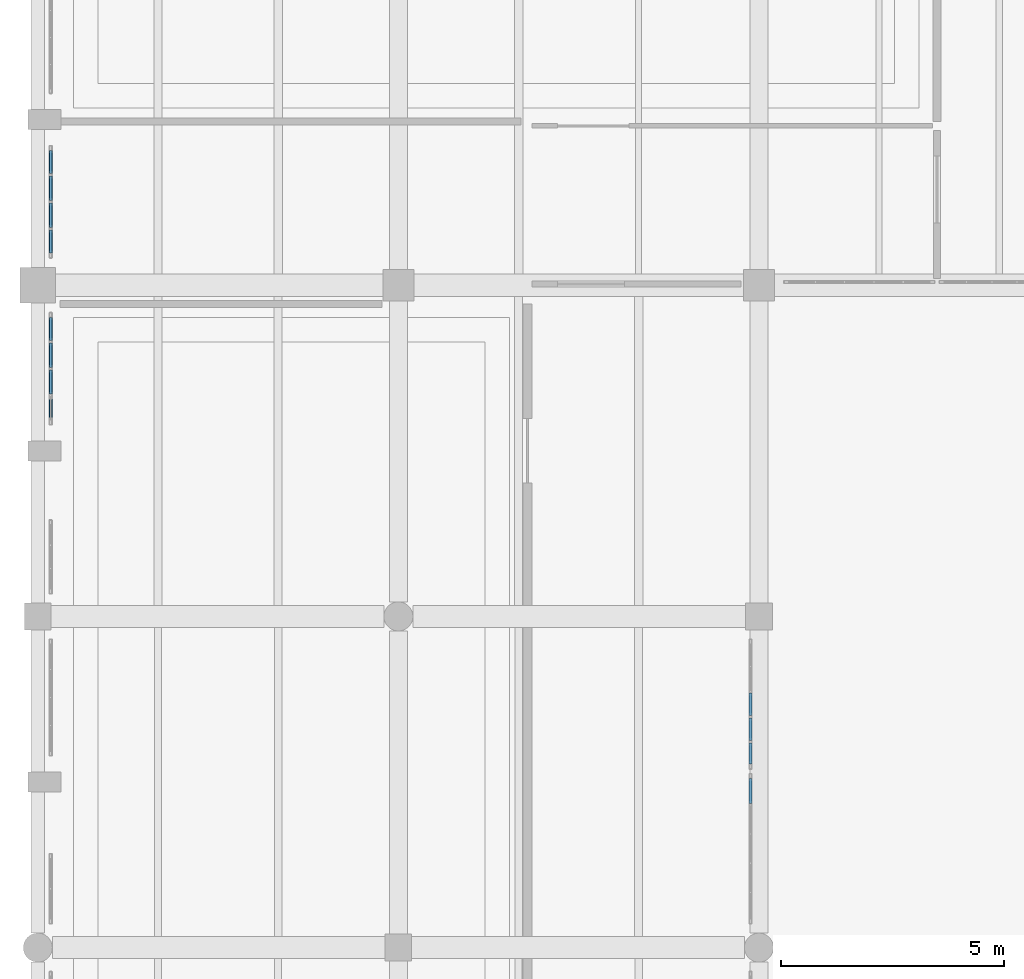
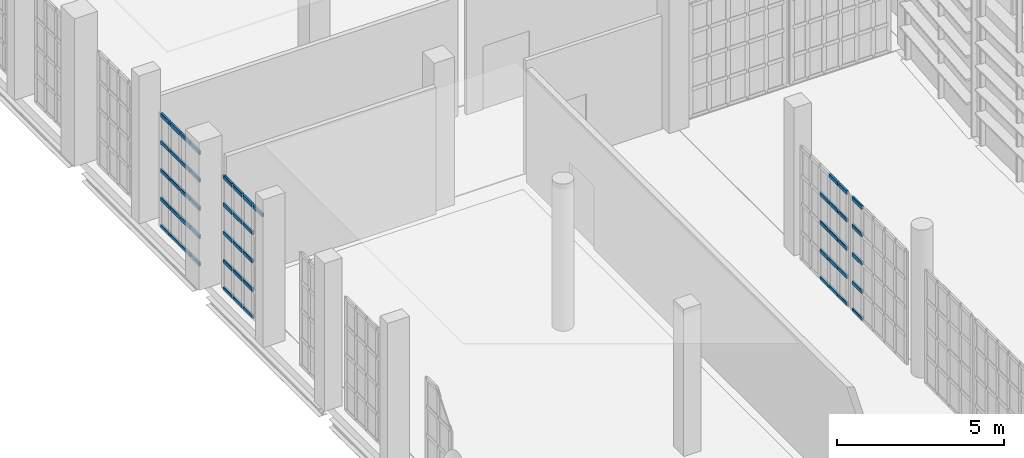
# One storey, part 298 of 372: 55 members, 4 elements without a shape of their own.
"""IFC4 building model written with IfcOpenShell, lengths in metres."""

from ifc_helpers import new_model, si_unit, direction, frame, origin, origin_2d, place, context, subcontext, project, spatial, hollow_rectangle, extrude, material, material_profile, profile_set, type_object, element, aggregate, save


model = new_model("IFC4")

# Units and contexts
model_context = context("Model", 3, precision=1e-05, world=origin(), true_north=direction((0.0, 1.0)))
body_context = subcontext(model_context, "Body", "Model", "MODEL_VIEW")
ifc_project = project(units=[si_unit("LENGTHUNIT", "METRE"), si_unit("AREAUNIT", "SQUARE_METRE"), si_unit("VOLUMEUNIT", "CUBIC_METRE"), si_unit("PLANEANGLEUNIT", "RADIAN"), si_unit("MASSUNIT", "GRAM", prefix="KILO")], contexts=[model_context])

# Site, building, storey
site_placement = place(None, origin())
site = spatial("IfcSite", under=ifc_project, at=site_placement, CompositionType="ELEMENT")
building_placement = place(site_placement, origin())
building = spatial("IfcBuilding", under=site, at=building_placement, Name="Kaelora Sail Theatre", CompositionType="ELEMENT")
storey_placement = place(building_placement, origin())
storey = spatial("IfcBuildingStorey", under=building, at=storey_placement, Name="L00", CompositionType="ELEMENT", Elevation=0.0)

# Curtain wall, members
ifc_material_1 = material(Name="Anodised aluminium and solar-control low-E IGU", Category="aluminium")
curtain_wall_type_1 = type_object("IfcCurtainWallType", Name="ARC-CW-CW-FOY1", PredefinedType="NOTDEFINED", material=ifc_material_1)
curtain_wall_1_placement = place(storey_placement, origin())
curtain_wall_1 = element("IfcCurtainWall", 1, at=curtain_wall_1_placement, inside=storey, type_object=curtain_wall_type_1, Name="Glazed Colonnade/Courtyard Curtain Wall COLW-W-L00-12", PredefinedType="NOTDEFINED")
ifc_material_2 = material(Name="Anodised aluminium 6063-T6", Category="aluminium")
ifc_material_profile = material_profile(ifc_material_2, hollow_rectangle(XDim=0.070068359375, YDim=0.139892578125, WallThickness=0.00390625, InnerFilletRadius=0.00390625, OuterFilletRadius=0.008056640625, at=origin_2d()), Name="ALU-TRAN 70x140x4")
ifc_profile_set = profile_set([ifc_material_profile], Name="Anodised aluminium 6063-T6")
member_type = type_object("IfcMemberType", Name="ARC-MEM-TR-140", PredefinedType="USERDEFINED", material=ifc_profile_set)
member_1_placement = place(storey_placement, frame((1.7900390625, 57.9951171875, 4.10205078125), z_axis=(0.0, 1.0, 0.0), x_axis=(-1.0, 0.0, 0.0)))
member_1 = element("IfcMember", 2, at=member_1_placement, type_object=member_type, Name="CW-FOY1 transom 1.5", ObjectType="TRANSOM", PredefinedType="USERDEFINED", context=body_context, shape_type="SweptSolid", body=[
    extrude(hollow_rectangle(XDim=0.070068359375, YDim=0.139892578125, WallThickness=0.00390625, InnerFilletRadius=0.00390625, OuterFilletRadius=0.008056640625, at=origin_2d()), origin(), (0.0, 0.0, 1.0), 0.51611328125),
])
member_2_placement = place(storey_placement, frame((1.7900390625, 58.5712890625, 0.034912109375), z_axis=(0.0, 1.0, 0.0), x_axis=(-1.0, 0.0, 0.0)))
member_2 = element("IfcMember", 3, at=member_2_placement, type_object=member_type, Name="CW-FOY1 transom 2.1", ObjectType="TRANSOM", PredefinedType="USERDEFINED", context=body_context, shape_type="SweptSolid", body=[
    extrude(hollow_rectangle(XDim=0.070068359375, YDim=0.139892578125, WallThickness=0.00390625, InnerFilletRadius=0.00390625, OuterFilletRadius=0.008056640625, at=origin_2d()), origin(), (0.0, 0.0, 1.0), 0.546142578125),
])
member_3_placement = place(storey_placement, frame((1.7900390625, 58.5712890625, 1.0341796875), z_axis=(0.0, 1.0, 0.0), x_axis=(-1.0, 0.0, 0.0)))
member_3 = element("IfcMember", 4, at=member_3_placement, type_object=member_type, Name="CW-FOY1 transom 2.2", ObjectType="TRANSOM", PredefinedType="USERDEFINED", context=body_context, shape_type="SweptSolid", body=[
    extrude(hollow_rectangle(XDim=0.070068359375, YDim=0.139892578125, WallThickness=0.00390625, InnerFilletRadius=0.00390625, OuterFilletRadius=0.008056640625, at=origin_2d()), origin(), (0.0, 0.0, 1.0), 0.546142578125),
])
member_4_placement = place(storey_placement, frame((1.7900390625, 58.5712890625, 2.068603515625), z_axis=(0.0, 1.0, 0.0), x_axis=(-1.0, 0.0, 0.0)))
member_4 = element("IfcMember", 5, at=member_4_placement, type_object=member_type, Name="CW-FOY1 transom 2.3", ObjectType="TRANSOM", PredefinedType="USERDEFINED", context=body_context, shape_type="SweptSolid", body=[
    extrude(hollow_rectangle(XDim=0.070068359375, YDim=0.139892578125, WallThickness=0.00390625, InnerFilletRadius=0.00390625, OuterFilletRadius=0.008056640625, at=origin_2d()), origin(), (0.0, 0.0, 1.0), 0.546142578125),
])
member_5_placement = place(storey_placement, frame((1.7900390625, 58.5712890625, 3.102783203125), z_axis=(0.0, 1.0, 0.0), x_axis=(-1.0, 0.0, 0.0)))
member_5 = element("IfcMember", 6, at=member_5_placement, type_object=member_type, Name="CW-FOY1 transom 2.4", ObjectType="TRANSOM", PredefinedType="USERDEFINED", context=body_context, shape_type="SweptSolid", body=[
    extrude(hollow_rectangle(XDim=0.070068359375, YDim=0.139892578125, WallThickness=0.00390625, InnerFilletRadius=0.00390625, OuterFilletRadius=0.008056640625, at=origin_2d()), origin(), (0.0, 0.0, 1.0), 0.546142578125),
])
member_6_placement = place(storey_placement, frame((1.7900390625, 58.5712890625, 4.10205078125), z_axis=(0.0, 1.0, 0.0), x_axis=(-1.0, 0.0, 0.0)))
member_6 = element("IfcMember", 7, at=member_6_placement, type_object=member_type, Name="CW-FOY1 transom 2.5", ObjectType="TRANSOM", PredefinedType="USERDEFINED", context=body_context, shape_type="SweptSolid", body=[
    extrude(hollow_rectangle(XDim=0.070068359375, YDim=0.139892578125, WallThickness=0.00390625, InnerFilletRadius=0.00390625, OuterFilletRadius=0.008056640625, at=origin_2d()), origin(), (0.0, 0.0, 1.0), 0.546142578125),
])
member_7_placement = place(storey_placement, frame((1.7900390625, 59.177490234375, 0.034912109375), z_axis=(0.0, 1.0, 0.0), x_axis=(-1.0, 0.0, 0.0)))
member_7 = element("IfcMember", 8, at=member_7_placement, type_object=member_type, Name="CW-FOY1 transom 3.1", ObjectType="TRANSOM", PredefinedType="USERDEFINED", context=body_context, shape_type="SweptSolid", body=[
    extrude(hollow_rectangle(XDim=0.070068359375, YDim=0.139892578125, WallThickness=0.00390625, InnerFilletRadius=0.00390625, OuterFilletRadius=0.008056640625, at=origin_2d()), origin(), (0.0, 0.0, 1.0), 0.546142578125),
])
member_8_placement = place(storey_placement, frame((1.7900390625, 59.177490234375, 1.0341796875), z_axis=(0.0, 1.0, 0.0), x_axis=(-1.0, 0.0, 0.0)))
member_8 = element("IfcMember", 9, at=member_8_placement, type_object=member_type, Name="CW-FOY1 transom 3.2", ObjectType="TRANSOM", PredefinedType="USERDEFINED", context=body_context, shape_type="SweptSolid", body=[
    extrude(hollow_rectangle(XDim=0.070068359375, YDim=0.139892578125, WallThickness=0.00390625, InnerFilletRadius=0.00390625, OuterFilletRadius=0.008056640625, at=origin_2d()), origin(), (0.0, 0.0, 1.0), 0.546142578125),
])
member_9_placement = place(storey_placement, frame((1.7900390625, 59.177490234375, 2.068603515625), z_axis=(0.0, 1.0, 0.0), x_axis=(-1.0, 0.0, 0.0)))
member_9 = element("IfcMember", 10, at=member_9_placement, type_object=member_type, Name="CW-FOY1 transom 3.3", ObjectType="TRANSOM", PredefinedType="USERDEFINED", context=body_context, shape_type="SweptSolid", body=[
    extrude(hollow_rectangle(XDim=0.070068359375, YDim=0.139892578125, WallThickness=0.00390625, InnerFilletRadius=0.00390625, OuterFilletRadius=0.008056640625, at=origin_2d()), origin(), (0.0, 0.0, 1.0), 0.546142578125),
])
member_10_placement = place(storey_placement, frame((1.7900390625, 59.177490234375, 3.102783203125), z_axis=(0.0, 1.0, 0.0), x_axis=(-1.0, 0.0, 0.0)))
member_10 = element("IfcMember", 11, at=member_10_placement, type_object=member_type, Name="CW-FOY1 transom 3.4", ObjectType="TRANSOM", PredefinedType="USERDEFINED", context=body_context, shape_type="SweptSolid", body=[
    extrude(hollow_rectangle(XDim=0.070068359375, YDim=0.139892578125, WallThickness=0.00390625, InnerFilletRadius=0.00390625, OuterFilletRadius=0.008056640625, at=origin_2d()), origin(), (0.0, 0.0, 1.0), 0.546142578125),
])
member_11_placement = place(storey_placement, frame((1.7900390625, 59.177490234375, 4.10205078125), z_axis=(0.0, 1.0, 0.0), x_axis=(-1.0, 0.0, 0.0)))
member_11 = element("IfcMember", 12, at=member_11_placement, type_object=member_type, Name="CW-FOY1 transom 3.5", ObjectType="TRANSOM", PredefinedType="USERDEFINED", context=body_context, shape_type="SweptSolid", body=[
    extrude(hollow_rectangle(XDim=0.070068359375, YDim=0.139892578125, WallThickness=0.00390625, InnerFilletRadius=0.00390625, OuterFilletRadius=0.008056640625, at=origin_2d()), origin(), (0.0, 0.0, 1.0), 0.546142578125),
])
member_12_placement = place(storey_placement, frame((1.7900390625, 59.78369140625, 0.034912109375), z_axis=(0.0, 1.0, 0.0), x_axis=(-1.0, 0.0, 0.0)))
member_12 = element("IfcMember", 13, at=member_12_placement, type_object=member_type, Name="CW-FOY1 transom 4.1", ObjectType="TRANSOM", PredefinedType="USERDEFINED", context=body_context, shape_type="SweptSolid", body=[
    extrude(hollow_rectangle(XDim=0.070068359375, YDim=0.139892578125, WallThickness=0.00390625, InnerFilletRadius=0.00390625, OuterFilletRadius=0.008056640625, at=origin_2d()), origin(), (0.0, 0.0, 1.0), 0.516357421875),
])
member_13_placement = place(storey_placement, frame((1.7900390625, 59.78369140625, 1.0341796875), z_axis=(0.0, 1.0, 0.0), x_axis=(-1.0, 0.0, 0.0)))
member_13 = element("IfcMember", 14, at=member_13_placement, type_object=member_type, Name="CW-FOY1 transom 4.2", ObjectType="TRANSOM", PredefinedType="USERDEFINED", context=body_context, shape_type="SweptSolid", body=[
    extrude(hollow_rectangle(XDim=0.070068359375, YDim=0.139892578125, WallThickness=0.00390625, InnerFilletRadius=0.00390625, OuterFilletRadius=0.008056640625, at=origin_2d()), origin(), (0.0, 0.0, 1.0), 0.516357421875),
])
member_14_placement = place(storey_placement, frame((1.7900390625, 59.78369140625, 2.068603515625), z_axis=(0.0, 1.0, 0.0), x_axis=(-1.0, 0.0, 0.0)))
member_14 = element("IfcMember", 15, at=member_14_placement, type_object=member_type, Name="CW-FOY1 transom 4.3", ObjectType="TRANSOM", PredefinedType="USERDEFINED", context=body_context, shape_type="SweptSolid", body=[
    extrude(hollow_rectangle(XDim=0.070068359375, YDim=0.139892578125, WallThickness=0.00390625, InnerFilletRadius=0.00390625, OuterFilletRadius=0.008056640625, at=origin_2d()), origin(), (0.0, 0.0, 1.0), 0.516357421875),
])
member_15_placement = place(storey_placement, frame((1.7900390625, 59.78369140625, 3.102783203125), z_axis=(0.0, 1.0, 0.0), x_axis=(-1.0, 0.0, 0.0)))
member_15 = element("IfcMember", 16, at=member_15_placement, type_object=member_type, Name="CW-FOY1 transom 4.4", ObjectType="TRANSOM", PredefinedType="USERDEFINED", context=body_context, shape_type="SweptSolid", body=[
    extrude(hollow_rectangle(XDim=0.070068359375, YDim=0.139892578125, WallThickness=0.00390625, InnerFilletRadius=0.00390625, OuterFilletRadius=0.008056640625, at=origin_2d()), origin(), (0.0, 0.0, 1.0), 0.516357421875),
])
member_16_placement = place(storey_placement, frame((1.7900390625, 59.78369140625, 4.10205078125), z_axis=(0.0, 1.0, 0.0), x_axis=(-1.0, 0.0, 0.0)))
member_16 = element("IfcMember", 17, at=member_16_placement, type_object=member_type, Name="CW-FOY1 transom 4.5", ObjectType="TRANSOM", PredefinedType="USERDEFINED", context=body_context, shape_type="SweptSolid", body=[
    extrude(hollow_rectangle(XDim=0.070068359375, YDim=0.139892578125, WallThickness=0.00390625, InnerFilletRadius=0.00390625, OuterFilletRadius=0.008056640625, at=origin_2d()), origin(), (0.0, 0.0, 1.0), 0.516357421875),
])
aggregate(curtain_wall_1, [member_1, member_2, member_3, member_4, member_5, member_6, member_7, member_8, member_9, member_10, member_11, member_12, member_13, member_14, member_15, member_16])

ifc_material_3 = material(Name="Anodised aluminium and solar-control low-E IGU", Category="aluminium")
curtain_wall_type_2 = type_object("IfcCurtainWallType", Name="ARC-CW-CW-FOY2", PredefinedType="NOTDEFINED", material=ifc_material_3)
curtain_wall_2_placement = place(storey_placement, origin())
curtain_wall_2 = element("IfcCurtainWall", 18, at=curtain_wall_2_placement, inside=storey, type_object=curtain_wall_type_2, Name="Glazed Colonnade/Courtyard Curtain Wall COLW-E-L00-05", PredefinedType="NOTDEFINED")
member_17_placement = place(storey_placement, frame((17.510009765625, 49.375, 0.034912109375), z_axis=(0.0, 1.0, 0.0), x_axis=(-1.0, 0.0, 0.0)))
member_17 = element("IfcMember", 19, at=member_17_placement, type_object=member_type, Name="CW-FOY2 transom 5.1", ObjectType="TRANSOM", PredefinedType="USERDEFINED", context=body_context, shape_type="SweptSolid", body=[
    extrude(hollow_rectangle(XDim=0.070068359375, YDim=0.139892578125, WallThickness=0.00390625, InnerFilletRadius=0.00390625, OuterFilletRadius=0.008056640625, at=origin_2d()), origin(), (0.0, 0.0, 1.0), 0.56494140625),
])
member_18_placement = place(storey_placement, frame((17.510009765625, 49.375, 1.0341796875), z_axis=(0.0, 1.0, 0.0), x_axis=(-1.0, 0.0, 0.0)))
member_18 = element("IfcMember", 20, at=member_18_placement, type_object=member_type, Name="CW-FOY2 transom 5.2", ObjectType="TRANSOM", PredefinedType="USERDEFINED", context=body_context, shape_type="SweptSolid", body=[
    extrude(hollow_rectangle(XDim=0.070068359375, YDim=0.139892578125, WallThickness=0.00390625, InnerFilletRadius=0.00390625, OuterFilletRadius=0.008056640625, at=origin_2d()), origin(), (0.0, 0.0, 1.0), 0.56494140625),
])
member_19_placement = place(storey_placement, frame((17.510009765625, 49.375, 2.068603515625), z_axis=(0.0, 1.0, 0.0), x_axis=(-1.0, 0.0, 0.0)))
member_19 = element("IfcMember", 21, at=member_19_placement, type_object=member_type, Name="CW-FOY2 transom 5.3", ObjectType="TRANSOM", PredefinedType="USERDEFINED", context=body_context, shape_type="SweptSolid", body=[
    extrude(hollow_rectangle(XDim=0.070068359375, YDim=0.139892578125, WallThickness=0.00390625, InnerFilletRadius=0.00390625, OuterFilletRadius=0.008056640625, at=origin_2d()), origin(), (0.0, 0.0, 1.0), 0.56494140625),
])
member_20_placement = place(storey_placement, frame((17.510009765625, 49.375, 3.102783203125), z_axis=(0.0, 1.0, 0.0), x_axis=(-1.0, 0.0, 0.0)))
member_20 = element("IfcMember", 22, at=member_20_placement, type_object=member_type, Name="CW-FOY2 transom 5.4", ObjectType="TRANSOM", PredefinedType="USERDEFINED", context=body_context, shape_type="SweptSolid", body=[
    extrude(hollow_rectangle(XDim=0.070068359375, YDim=0.139892578125, WallThickness=0.00390625, InnerFilletRadius=0.00390625, OuterFilletRadius=0.008056640625, at=origin_2d()), origin(), (0.0, 0.0, 1.0), 0.56494140625),
])
member_21_placement = place(storey_placement, frame((17.510009765625, 49.375, 4.10205078125), z_axis=(0.0, 1.0, 0.0), x_axis=(-1.0, 0.0, 0.0)))
member_21 = element("IfcMember", 23, at=member_21_placement, type_object=member_type, Name="CW-FOY2 transom 5.5", ObjectType="TRANSOM", PredefinedType="USERDEFINED", context=body_context, shape_type="SweptSolid", body=[
    extrude(hollow_rectangle(XDim=0.070068359375, YDim=0.139892578125, WallThickness=0.00390625, InnerFilletRadius=0.00390625, OuterFilletRadius=0.008056640625, at=origin_2d()), origin(), (0.0, 0.0, 1.0), 0.56494140625),
])
aggregate(curtain_wall_2, [member_17, member_18, member_19, member_20, member_21])

curtain_wall_3_placement = place(storey_placement, origin())
curtain_wall_3 = element("IfcCurtainWall", 24, at=curtain_wall_3_placement, inside=storey, type_object=curtain_wall_type_2, Name="Glazed Colonnade/Courtyard Curtain Wall COLW-E-L00-06", PredefinedType="NOTDEFINED")
member_22_placement = place(storey_placement, frame((17.510009765625, 50.260009765625, 0.034912109375), z_axis=(0.0, 1.0, 0.0), x_axis=(-1.0, 0.0, 0.0)))
member_22 = element("IfcMember", 25, at=member_22_placement, type_object=member_type, Name="CW-FOY2 transom 1.1", ObjectType="TRANSOM", PredefinedType="USERDEFINED", context=body_context, shape_type="SweptSolid", body=[
    extrude(hollow_rectangle(XDim=0.070068359375, YDim=0.139892578125, WallThickness=0.00390625, InnerFilletRadius=0.00390625, OuterFilletRadius=0.008056640625, at=origin_2d()), origin(), (0.0, 0.0, 1.0), 0.473876953125),
])
member_23_placement = place(storey_placement, frame((17.510009765625, 50.260009765625, 1.0341796875), z_axis=(0.0, 1.0, 0.0), x_axis=(-1.0, 0.0, 0.0)))
member_23 = element("IfcMember", 26, at=member_23_placement, type_object=member_type, Name="CW-FOY2 transom 1.2", ObjectType="TRANSOM", PredefinedType="USERDEFINED", context=body_context, shape_type="SweptSolid", body=[
    extrude(hollow_rectangle(XDim=0.070068359375, YDim=0.139892578125, WallThickness=0.00390625, InnerFilletRadius=0.00390625, OuterFilletRadius=0.008056640625, at=origin_2d()), origin(), (0.0, 0.0, 1.0), 0.473876953125),
])
member_24_placement = place(storey_placement, frame((17.510009765625, 50.260009765625, 2.068603515625), z_axis=(0.0, 1.0, 0.0), x_axis=(-1.0, 0.0, 0.0)))
member_24 = element("IfcMember", 27, at=member_24_placement, type_object=member_type, Name="CW-FOY2 transom 1.3", ObjectType="TRANSOM", PredefinedType="USERDEFINED", context=body_context, shape_type="SweptSolid", body=[
    extrude(hollow_rectangle(XDim=0.070068359375, YDim=0.139892578125, WallThickness=0.00390625, InnerFilletRadius=0.00390625, OuterFilletRadius=0.008056640625, at=origin_2d()), origin(), (0.0, 0.0, 1.0), 0.473876953125),
])
member_25_placement = place(storey_placement, frame((17.510009765625, 50.260009765625, 3.102783203125), z_axis=(0.0, 1.0, 0.0), x_axis=(-1.0, 0.0, 0.0)))
member_25 = element("IfcMember", 28, at=member_25_placement, type_object=member_type, Name="CW-FOY2 transom 1.4", ObjectType="TRANSOM", PredefinedType="USERDEFINED", context=body_context, shape_type="SweptSolid", body=[
    extrude(hollow_rectangle(XDim=0.070068359375, YDim=0.139892578125, WallThickness=0.00390625, InnerFilletRadius=0.00390625, OuterFilletRadius=0.008056640625, at=origin_2d()), origin(), (0.0, 0.0, 1.0), 0.473876953125),
])
member_26_placement = place(storey_placement, frame((17.510009765625, 50.260009765625, 4.10205078125), z_axis=(0.0, 1.0, 0.0), x_axis=(-1.0, 0.0, 0.0)))
member_26 = element("IfcMember", 29, at=member_26_placement, type_object=member_type, Name="CW-FOY2 transom 1.5", ObjectType="TRANSOM", PredefinedType="USERDEFINED", context=body_context, shape_type="SweptSolid", body=[
    extrude(hollow_rectangle(XDim=0.070068359375, YDim=0.139892578125, WallThickness=0.00390625, InnerFilletRadius=0.00390625, OuterFilletRadius=0.008056640625, at=origin_2d()), origin(), (0.0, 0.0, 1.0), 0.473876953125),
])
member_27_placement = place(storey_placement, frame((17.510009765625, 50.7939453125, 0.034912109375), z_axis=(0.0, 1.0, 0.0), x_axis=(-1.0, 0.0, 0.0)))
member_27 = element("IfcMember", 30, at=member_27_placement, type_object=member_type, Name="CW-FOY2 transom 2.1", ObjectType="TRANSOM", PredefinedType="USERDEFINED", context=body_context, shape_type="SweptSolid", body=[
    extrude(hollow_rectangle(XDim=0.070068359375, YDim=0.139892578125, WallThickness=0.00390625, InnerFilletRadius=0.00390625, OuterFilletRadius=0.008056640625, at=origin_2d()), origin(), (0.0, 0.0, 1.0), 0.504150390625),
])
member_28_placement = place(storey_placement, frame((17.510009765625, 50.7939453125, 1.0341796875), z_axis=(0.0, 1.0, 0.0), x_axis=(-1.0, 0.0, 0.0)))
member_28 = element("IfcMember", 31, at=member_28_placement, type_object=member_type, Name="CW-FOY2 transom 2.2", ObjectType="TRANSOM", PredefinedType="USERDEFINED", context=body_context, shape_type="SweptSolid", body=[
    extrude(hollow_rectangle(XDim=0.070068359375, YDim=0.139892578125, WallThickness=0.00390625, InnerFilletRadius=0.00390625, OuterFilletRadius=0.008056640625, at=origin_2d()), origin(), (0.0, 0.0, 1.0), 0.504150390625),
])
member_29_placement = place(storey_placement, frame((17.510009765625, 50.7939453125, 2.068603515625), z_axis=(0.0, 1.0, 0.0), x_axis=(-1.0, 0.0, 0.0)))
member_29 = element("IfcMember", 32, at=member_29_placement, type_object=member_type, Name="CW-FOY2 transom 2.3", ObjectType="TRANSOM", PredefinedType="USERDEFINED", context=body_context, shape_type="SweptSolid", body=[
    extrude(hollow_rectangle(XDim=0.070068359375, YDim=0.139892578125, WallThickness=0.00390625, InnerFilletRadius=0.00390625, OuterFilletRadius=0.008056640625, at=origin_2d()), origin(), (0.0, 0.0, 1.0), 0.504150390625),
])
member_30_placement = place(storey_placement, frame((17.510009765625, 50.7939453125, 3.102783203125), z_axis=(0.0, 1.0, 0.0), x_axis=(-1.0, 0.0, 0.0)))
member_30 = element("IfcMember", 33, at=member_30_placement, type_object=member_type, Name="CW-FOY2 transom 2.4", ObjectType="TRANSOM", PredefinedType="USERDEFINED", context=body_context, shape_type="SweptSolid", body=[
    extrude(hollow_rectangle(XDim=0.070068359375, YDim=0.139892578125, WallThickness=0.00390625, InnerFilletRadius=0.00390625, OuterFilletRadius=0.008056640625, at=origin_2d()), origin(), (0.0, 0.0, 1.0), 0.504150390625),
])
member_31_placement = place(storey_placement, frame((17.510009765625, 50.7939453125, 4.10205078125), z_axis=(0.0, 1.0, 0.0), x_axis=(-1.0, 0.0, 0.0)))
member_31 = element("IfcMember", 34, at=member_31_placement, type_object=member_type, Name="CW-FOY2 transom 2.5", ObjectType="TRANSOM", PredefinedType="USERDEFINED", context=body_context, shape_type="SweptSolid", body=[
    extrude(hollow_rectangle(XDim=0.070068359375, YDim=0.139892578125, WallThickness=0.00390625, InnerFilletRadius=0.00390625, OuterFilletRadius=0.008056640625, at=origin_2d()), origin(), (0.0, 0.0, 1.0), 0.504150390625),
])
member_32_placement = place(storey_placement, frame((17.510009765625, 51.35791015625, 0.034912109375), z_axis=(0.0, 1.0, 0.0), x_axis=(-1.0, 0.0, 0.0)))
member_32 = element("IfcMember", 35, at=member_32_placement, type_object=member_type, Name="CW-FOY2 transom 3.1", ObjectType="TRANSOM", PredefinedType="USERDEFINED", context=body_context, shape_type="SweptSolid", body=[
    extrude(hollow_rectangle(XDim=0.070068359375, YDim=0.139892578125, WallThickness=0.00390625, InnerFilletRadius=0.00390625, OuterFilletRadius=0.008056640625, at=origin_2d()), origin(), (0.0, 0.0, 1.0), 0.504150390625),
])
member_33_placement = place(storey_placement, frame((17.510009765625, 51.35791015625, 1.0341796875), z_axis=(0.0, 1.0, 0.0), x_axis=(-1.0, 0.0, 0.0)))
member_33 = element("IfcMember", 36, at=member_33_placement, type_object=member_type, Name="CW-FOY2 transom 3.2", ObjectType="TRANSOM", PredefinedType="USERDEFINED", context=body_context, shape_type="SweptSolid", body=[
    extrude(hollow_rectangle(XDim=0.070068359375, YDim=0.139892578125, WallThickness=0.00390625, InnerFilletRadius=0.00390625, OuterFilletRadius=0.008056640625, at=origin_2d()), origin(), (0.0, 0.0, 1.0), 0.504150390625),
])
member_34_placement = place(storey_placement, frame((17.510009765625, 51.35791015625, 2.068603515625), z_axis=(0.0, 1.0, 0.0), x_axis=(-1.0, 0.0, 0.0)))
member_34 = element("IfcMember", 37, at=member_34_placement, type_object=member_type, Name="CW-FOY2 transom 3.3", ObjectType="TRANSOM", PredefinedType="USERDEFINED", context=body_context, shape_type="SweptSolid", body=[
    extrude(hollow_rectangle(XDim=0.070068359375, YDim=0.139892578125, WallThickness=0.00390625, InnerFilletRadius=0.00390625, OuterFilletRadius=0.008056640625, at=origin_2d()), origin(), (0.0, 0.0, 1.0), 0.504150390625),
])
member_35_placement = place(storey_placement, frame((17.510009765625, 51.35791015625, 3.102783203125), z_axis=(0.0, 1.0, 0.0), x_axis=(-1.0, 0.0, 0.0)))
member_35 = element("IfcMember", 38, at=member_35_placement, type_object=member_type, Name="CW-FOY2 transom 3.4", ObjectType="TRANSOM", PredefinedType="USERDEFINED", context=body_context, shape_type="SweptSolid", body=[
    extrude(hollow_rectangle(XDim=0.070068359375, YDim=0.139892578125, WallThickness=0.00390625, InnerFilletRadius=0.00390625, OuterFilletRadius=0.008056640625, at=origin_2d()), origin(), (0.0, 0.0, 1.0), 0.504150390625),
])
aggregate(curtain_wall_3, [member_22, member_23, member_24, member_25, member_26, member_27, member_28, member_29, member_30, member_31, member_32, member_33, member_34, member_35])

curtain_wall_4_placement = place(storey_placement, origin())
curtain_wall_4 = element("IfcCurtainWall", 39, at=curtain_wall_4_placement, inside=storey, type_object=curtain_wall_type_1, Name="Glazed Colonnade/Courtyard Curtain Wall FW1-W-L00-01", PredefinedType="NOTDEFINED")
member_36_placement = place(storey_placement, frame((1.7900390625, 61.739990234375, 0.034912109375), z_axis=(0.0, 1.0, 0.0), x_axis=(-1.0, 0.0, 0.0)))
member_36 = element("IfcMember", 40, at=member_36_placement, type_object=member_type, Name="CW-FOY1 transom 1.1", ObjectType="TRANSOM", PredefinedType="USERDEFINED", context=body_context, shape_type="SweptSolid", body=[
    extrude(hollow_rectangle(XDim=0.070068359375, YDim=0.139892578125, WallThickness=0.00390625, InnerFilletRadius=0.00390625, OuterFilletRadius=0.008056640625, at=origin_2d()), origin(), (0.0, 0.0, 1.0), 0.516357421875),
])
member_37_placement = place(storey_placement, frame((1.7900390625, 61.739990234375, 1.0341796875), z_axis=(0.0, 1.0, 0.0), x_axis=(-1.0, 0.0, 0.0)))
member_37 = element("IfcMember", 41, at=member_37_placement, type_object=member_type, Name="CW-FOY1 transom 1.2", ObjectType="TRANSOM", PredefinedType="USERDEFINED", context=body_context, shape_type="SweptSolid", body=[
    extrude(hollow_rectangle(XDim=0.070068359375, YDim=0.139892578125, WallThickness=0.00390625, InnerFilletRadius=0.00390625, OuterFilletRadius=0.008056640625, at=origin_2d()), origin(), (0.0, 0.0, 1.0), 0.516357421875),
])
member_38_placement = place(storey_placement, frame((1.7900390625, 61.739990234375, 2.068603515625), z_axis=(0.0, 1.0, 0.0), x_axis=(-1.0, 0.0, 0.0)))
member_38 = element("IfcMember", 42, at=member_38_placement, type_object=member_type, Name="CW-FOY1 transom 1.3", ObjectType="TRANSOM", PredefinedType="USERDEFINED", context=body_context, shape_type="SweptSolid", body=[
    extrude(hollow_rectangle(XDim=0.070068359375, YDim=0.139892578125, WallThickness=0.00390625, InnerFilletRadius=0.00390625, OuterFilletRadius=0.008056640625, at=origin_2d()), origin(), (0.0, 0.0, 1.0), 0.516357421875),
])
member_39_placement = place(storey_placement, frame((1.7900390625, 61.739990234375, 3.102783203125), z_axis=(0.0, 1.0, 0.0), x_axis=(-1.0, 0.0, 0.0)))
member_39 = element("IfcMember", 43, at=member_39_placement, type_object=member_type, Name="CW-FOY1 transom 1.4", ObjectType="TRANSOM", PredefinedType="USERDEFINED", context=body_context, shape_type="SweptSolid", body=[
    extrude(hollow_rectangle(XDim=0.070068359375, YDim=0.139892578125, WallThickness=0.00390625, InnerFilletRadius=0.00390625, OuterFilletRadius=0.008056640625, at=origin_2d()), origin(), (0.0, 0.0, 1.0), 0.516357421875),
])
member_40_placement = place(storey_placement, frame((1.7900390625, 61.739990234375, 4.10205078125), z_axis=(0.0, 1.0, 0.0), x_axis=(-1.0, 0.0, 0.0)))
member_40 = element("IfcMember", 44, at=member_40_placement, type_object=member_type, Name="CW-FOY1 transom 1.5", ObjectType="TRANSOM", PredefinedType="USERDEFINED", context=body_context, shape_type="SweptSolid", body=[
    extrude(hollow_rectangle(XDim=0.070068359375, YDim=0.139892578125, WallThickness=0.00390625, InnerFilletRadius=0.00390625, OuterFilletRadius=0.008056640625, at=origin_2d()), origin(), (0.0, 0.0, 1.0), 0.516357421875),
])
member_41_placement = place(storey_placement, frame((1.7900390625, 62.316162109375, 0.034912109375), z_axis=(0.0, 1.0, 0.0), x_axis=(-1.0, 0.0, 0.0)))
member_41 = element("IfcMember", 45, at=member_41_placement, type_object=member_type, Name="CW-FOY1 transom 2.1", ObjectType="TRANSOM", PredefinedType="USERDEFINED", context=body_context, shape_type="SweptSolid", body=[
    extrude(hollow_rectangle(XDim=0.070068359375, YDim=0.139892578125, WallThickness=0.00390625, InnerFilletRadius=0.00390625, OuterFilletRadius=0.008056640625, at=origin_2d()), origin(), (0.0, 0.0, 1.0), 0.54638671875),
])
member_42_placement = place(storey_placement, frame((1.7900390625, 62.316162109375, 1.0341796875), z_axis=(0.0, 1.0, 0.0), x_axis=(-1.0, 0.0, 0.0)))
member_42 = element("IfcMember", 46, at=member_42_placement, type_object=member_type, Name="CW-FOY1 transom 2.2", ObjectType="TRANSOM", PredefinedType="USERDEFINED", context=body_context, shape_type="SweptSolid", body=[
    extrude(hollow_rectangle(XDim=0.070068359375, YDim=0.139892578125, WallThickness=0.00390625, InnerFilletRadius=0.00390625, OuterFilletRadius=0.008056640625, at=origin_2d()), origin(), (0.0, 0.0, 1.0), 0.54638671875),
])
member_43_placement = place(storey_placement, frame((1.7900390625, 62.316162109375, 2.068603515625), z_axis=(0.0, 1.0, 0.0), x_axis=(-1.0, 0.0, 0.0)))
member_43 = element("IfcMember", 47, at=member_43_placement, type_object=member_type, Name="CW-FOY1 transom 2.3", ObjectType="TRANSOM", PredefinedType="USERDEFINED", context=body_context, shape_type="SweptSolid", body=[
    extrude(hollow_rectangle(XDim=0.070068359375, YDim=0.139892578125, WallThickness=0.00390625, InnerFilletRadius=0.00390625, OuterFilletRadius=0.008056640625, at=origin_2d()), origin(), (0.0, 0.0, 1.0), 0.54638671875),
])
member_44_placement = place(storey_placement, frame((1.7900390625, 62.316162109375, 3.102783203125), z_axis=(0.0, 1.0, 0.0), x_axis=(-1.0, 0.0, 0.0)))
member_44 = element("IfcMember", 48, at=member_44_placement, type_object=member_type, Name="CW-FOY1 transom 2.4", ObjectType="TRANSOM", PredefinedType="USERDEFINED", context=body_context, shape_type="SweptSolid", body=[
    extrude(hollow_rectangle(XDim=0.070068359375, YDim=0.139892578125, WallThickness=0.00390625, InnerFilletRadius=0.00390625, OuterFilletRadius=0.008056640625, at=origin_2d()), origin(), (0.0, 0.0, 1.0), 0.54638671875),
])
member_45_placement = place(storey_placement, frame((1.7900390625, 62.316162109375, 4.10205078125), z_axis=(0.0, 1.0, 0.0), x_axis=(-1.0, 0.0, 0.0)))
member_45 = element("IfcMember", 49, at=member_45_placement, type_object=member_type, Name="CW-FOY1 transom 2.5", ObjectType="TRANSOM", PredefinedType="USERDEFINED", context=body_context, shape_type="SweptSolid", body=[
    extrude(hollow_rectangle(XDim=0.070068359375, YDim=0.139892578125, WallThickness=0.00390625, InnerFilletRadius=0.00390625, OuterFilletRadius=0.008056640625, at=origin_2d()), origin(), (0.0, 0.0, 1.0), 0.54638671875),
])
member_46_placement = place(storey_placement, frame((1.7900390625, 62.922607421875, 0.034912109375), z_axis=(0.0, 1.0, 0.0), x_axis=(-1.0, 0.0, 0.0)))
member_46 = element("IfcMember", 50, at=member_46_placement, type_object=member_type, Name="CW-FOY1 transom 3.1", ObjectType="TRANSOM", PredefinedType="USERDEFINED", context=body_context, shape_type="SweptSolid", body=[
    extrude(hollow_rectangle(XDim=0.070068359375, YDim=0.139892578125, WallThickness=0.00390625, InnerFilletRadius=0.00390625, OuterFilletRadius=0.008056640625, at=origin_2d()), origin(), (0.0, 0.0, 1.0), 0.546142578125),
])
member_47_placement = place(storey_placement, frame((1.7900390625, 62.922607421875, 1.0341796875), z_axis=(0.0, 1.0, 0.0), x_axis=(-1.0, 0.0, 0.0)))
member_47 = element("IfcMember", 51, at=member_47_placement, type_object=member_type, Name="CW-FOY1 transom 3.2", ObjectType="TRANSOM", PredefinedType="USERDEFINED", context=body_context, shape_type="SweptSolid", body=[
    extrude(hollow_rectangle(XDim=0.070068359375, YDim=0.139892578125, WallThickness=0.00390625, InnerFilletRadius=0.00390625, OuterFilletRadius=0.008056640625, at=origin_2d()), origin(), (0.0, 0.0, 1.0), 0.546142578125),
])
member_48_placement = place(storey_placement, frame((1.7900390625, 62.922607421875, 2.068603515625), z_axis=(0.0, 1.0, 0.0), x_axis=(-1.0, 0.0, 0.0)))
member_48 = element("IfcMember", 52, at=member_48_placement, type_object=member_type, Name="CW-FOY1 transom 3.3", ObjectType="TRANSOM", PredefinedType="USERDEFINED", context=body_context, shape_type="SweptSolid", body=[
    extrude(hollow_rectangle(XDim=0.070068359375, YDim=0.139892578125, WallThickness=0.00390625, InnerFilletRadius=0.00390625, OuterFilletRadius=0.008056640625, at=origin_2d()), origin(), (0.0, 0.0, 1.0), 0.546142578125),
])
member_49_placement = place(storey_placement, frame((1.7900390625, 62.922607421875, 3.102783203125), z_axis=(0.0, 1.0, 0.0), x_axis=(-1.0, 0.0, 0.0)))
member_49 = element("IfcMember", 53, at=member_49_placement, type_object=member_type, Name="CW-FOY1 transom 3.4", ObjectType="TRANSOM", PredefinedType="USERDEFINED", context=body_context, shape_type="SweptSolid", body=[
    extrude(hollow_rectangle(XDim=0.070068359375, YDim=0.139892578125, WallThickness=0.00390625, InnerFilletRadius=0.00390625, OuterFilletRadius=0.008056640625, at=origin_2d()), origin(), (0.0, 0.0, 1.0), 0.546142578125),
])
member_50_placement = place(storey_placement, frame((1.7900390625, 62.922607421875, 4.10205078125), z_axis=(0.0, 1.0, 0.0), x_axis=(-1.0, 0.0, 0.0)))
member_50 = element("IfcMember", 54, at=member_50_placement, type_object=member_type, Name="CW-FOY1 transom 3.5", ObjectType="TRANSOM", PredefinedType="USERDEFINED", context=body_context, shape_type="SweptSolid", body=[
    extrude(hollow_rectangle(XDim=0.070068359375, YDim=0.139892578125, WallThickness=0.00390625, InnerFilletRadius=0.00390625, OuterFilletRadius=0.008056640625, at=origin_2d()), origin(), (0.0, 0.0, 1.0), 0.546142578125),
])
member_51_placement = place(storey_placement, frame((1.7900390625, 63.52880859375, 0.034912109375), z_axis=(0.0, 1.0, 0.0), x_axis=(-1.0, 0.0, 0.0)))
member_51 = element("IfcMember", 55, at=member_51_placement, type_object=member_type, Name="CW-FOY1 transom 4.1", ObjectType="TRANSOM", PredefinedType="USERDEFINED", context=body_context, shape_type="SweptSolid", body=[
    extrude(hollow_rectangle(XDim=0.070068359375, YDim=0.139892578125, WallThickness=0.00390625, InnerFilletRadius=0.00390625, OuterFilletRadius=0.008056640625, at=origin_2d()), origin(), (0.0, 0.0, 1.0), 0.51611328125),
])
member_52_placement = place(storey_placement, frame((1.7900390625, 63.52880859375, 1.0341796875), z_axis=(0.0, 1.0, 0.0), x_axis=(-1.0, 0.0, 0.0)))
member_52 = element("IfcMember", 56, at=member_52_placement, type_object=member_type, Name="CW-FOY1 transom 4.2", ObjectType="TRANSOM", PredefinedType="USERDEFINED", context=body_context, shape_type="SweptSolid", body=[
    extrude(hollow_rectangle(XDim=0.070068359375, YDim=0.139892578125, WallThickness=0.00390625, InnerFilletRadius=0.00390625, OuterFilletRadius=0.008056640625, at=origin_2d()), origin(), (0.0, 0.0, 1.0), 0.51611328125),
])
member_53_placement = place(storey_placement, frame((1.7900390625, 63.52880859375, 2.068603515625), z_axis=(0.0, 1.0, 0.0), x_axis=(-1.0, 0.0, 0.0)))
member_53 = element("IfcMember", 57, at=member_53_placement, type_object=member_type, Name="CW-FOY1 transom 4.3", ObjectType="TRANSOM", PredefinedType="USERDEFINED", context=body_context, shape_type="SweptSolid", body=[
    extrude(hollow_rectangle(XDim=0.070068359375, YDim=0.139892578125, WallThickness=0.00390625, InnerFilletRadius=0.00390625, OuterFilletRadius=0.008056640625, at=origin_2d()), origin(), (0.0, 0.0, 1.0), 0.51611328125),
])
member_54_placement = place(storey_placement, frame((1.7900390625, 63.52880859375, 3.102783203125), z_axis=(0.0, 1.0, 0.0), x_axis=(-1.0, 0.0, 0.0)))
member_54 = element("IfcMember", 58, at=member_54_placement, type_object=member_type, Name="CW-FOY1 transom 4.4", ObjectType="TRANSOM", PredefinedType="USERDEFINED", context=body_context, shape_type="SweptSolid", body=[
    extrude(hollow_rectangle(XDim=0.070068359375, YDim=0.139892578125, WallThickness=0.00390625, InnerFilletRadius=0.00390625, OuterFilletRadius=0.008056640625, at=origin_2d()), origin(), (0.0, 0.0, 1.0), 0.51611328125),
])
member_55_placement = place(storey_placement, frame((1.7900390625, 63.52880859375, 4.10205078125), z_axis=(0.0, 1.0, 0.0), x_axis=(-1.0, 0.0, 0.0)))
member_55 = element("IfcMember", 59, at=member_55_placement, type_object=member_type, Name="CW-FOY1 transom 4.5", ObjectType="TRANSOM", PredefinedType="USERDEFINED", context=body_context, shape_type="SweptSolid", body=[
    extrude(hollow_rectangle(XDim=0.070068359375, YDim=0.139892578125, WallThickness=0.00390625, InnerFilletRadius=0.00390625, OuterFilletRadius=0.008056640625, at=origin_2d()), origin(), (0.0, 0.0, 1.0), 0.51611328125),
])
aggregate(curtain_wall_4, [member_36, member_37, member_38, member_39, member_40, member_41, member_42, member_43, member_44, member_45, member_46, member_47, member_48, member_49, member_50, member_51, member_52, member_53, member_54, member_55])

save(model, "model.ifc")
